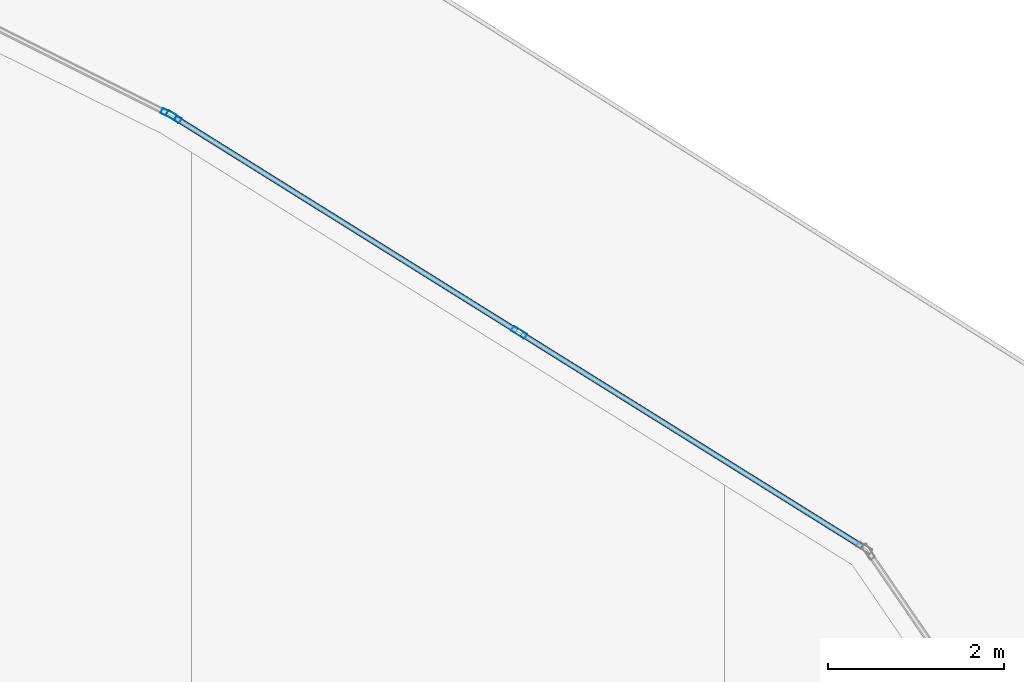
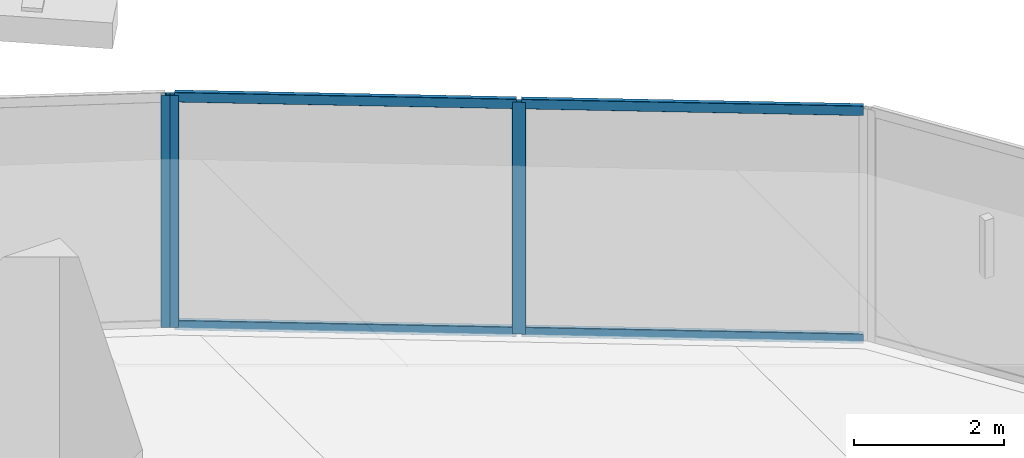
# One storey, part 26 of 45: 7 members, 2 elements without a shape of their own.
"""IFC4 building model written with IfcOpenShell, lengths in metres."""

from ifc_helpers import new_model, si_unit, direction, frame, origin, origin_2d, place, context, subcontext, project, spatial, hollow_rectangle, extrude, material, layer, layer_set, material_profile, profile_set, type_object, element, aggregate, save


model = new_model("IFC4")

# Units and contexts
model_context = context("Model", 3, precision=1e-05, world=origin(), true_north=direction((0.0, 1.0)))
body_context = subcontext(model_context, "Body", "Model", "MODEL_VIEW")
ifc_project = project(units=[si_unit("LENGTHUNIT", "METRE"), si_unit("AREAUNIT", "SQUARE_METRE"), si_unit("VOLUMEUNIT", "CUBIC_METRE"), si_unit("PLANEANGLEUNIT", "RADIAN"), si_unit("MASSUNIT", "GRAM", prefix="KILO")], contexts=[model_context])

# Site, building, storey
site_placement = place(None, origin())
site = spatial("IfcSite", under=ifc_project, at=site_placement, CompositionType="ELEMENT")
building_placement = place(site_placement, origin())
building = spatial("IfcBuilding", under=site, at=building_placement, Name="Qorvath Tower", CompositionType="ELEMENT")
storey_placement = place(building_placement, frame((0.0, 0.0, 109.800048828125)))
storey = spatial("IfcBuildingStorey", under=building, at=storey_placement, Name="L24", CompositionType="ELEMENT", Elevation=109.800048828125)

# Curtain wall, members
ifc_material_1 = material(Name="Anodised aluminium and triple low-E glass", Category="aluminium")
ifc_layer = layer(ifc_material_1, 0.179931640625)
ifc_layer_set = layer_set([ifc_layer], Name="CW-SYS-2")
curtain_wall_type = type_object("IfcCurtainWallType", Name="CW-SYS-2", PredefinedType="NOTDEFINED", material=ifc_layer_set)
curtain_wall_1_placement = place(storey_placement, origin())
curtain_wall_1 = element("IfcCurtainWall", 1, at=curtain_wall_1_placement, inside=storey, type_object=curtain_wall_type, Name="Curtain Wall CW-2 CW-T-L24-14.1", PredefinedType="NOTDEFINED")
ifc_material_2 = material(Name="Anodised aluminium 6063-T6", Category="aluminium")
ifc_material_profile_1 = material_profile(ifc_material_2, hollow_rectangle(XDim=0.06494140625, YDim=0.179931640625, WallThickness=0.00341796875, InnerFilletRadius=0.00341796875, OuterFilletRadius=0.007080078125, at=origin_2d()), Name="CWM 180x65")
ifc_profile_set_1 = profile_set([ifc_material_profile_1], Name="Anodised aluminium 6063-T6")
member_type_1 = type_object("IfcMemberType", Name="CWM-180", PredefinedType="MULLION", material=ifc_profile_set_1)
member_1_placement = place(storey_placement, frame((-7.25390625, 26.397216796875, 0.0), z_axis=(0.0, 0.0, 1.0), x_axis=(-0.529548597524, -0.848279601818, 0.0)))
member_1 = element("IfcMember", 2, at=member_1_placement, type_object=member_type_1, Name="CW-2 mullion 2", PredefinedType="MULLION", context=body_context, shape_type="SweptSolid", body=[
    extrude(hollow_rectangle(XDim=0.06494140625, YDim=0.179931640625, WallThickness=0.00341796875, InnerFilletRadius=0.00341796875, OuterFilletRadius=0.007080078125, at=origin_2d()), origin(), (0.0, 0.0, 1.0), 3.77001953125),
])
member_2_placement = place(storey_placement, frame((-11.172119140625, 28.84326171875, 0.0), z_axis=(0.0, 0.0, 1.0), x_axis=(-0.529548597524, -0.848279601818, 0.0)))
member_2 = element("IfcMember", 3, at=member_2_placement, type_object=member_type_1, Name="CW-2 mullion 3", PredefinedType="MULLION", context=body_context, shape_type="SweptSolid", body=[
    extrude(hollow_rectangle(XDim=0.06494140625, YDim=0.179931640625, WallThickness=0.00341796875, InnerFilletRadius=0.00341796875, OuterFilletRadius=0.007080078125, at=origin_2d()), origin(), (0.0, 0.0, 1.0), 3.77001953125),
])

# Curtain wall, member
curtain_wall_2_placement = place(storey_placement, origin())
curtain_wall_2 = element("IfcCurtainWall", 4, at=curtain_wall_2_placement, inside=storey, type_object=curtain_wall_type, Name="Curtain Wall CW-2 CW-T-L24-15.1", PredefinedType="NOTDEFINED")
member_3_placement = place(storey_placement, frame((-11.228759765625, 28.875, 0.0), z_axis=(0.0, 0.0, 1.0), x_axis=(-0.447181364469, -0.89444330579, 0.0)))
member_3 = element("IfcMember", 5, at=member_3_placement, type_object=member_type_1, Name="CW-2 mullion 1", PredefinedType="MULLION", context=body_context, shape_type="SweptSolid", body=[
    extrude(hollow_rectangle(XDim=0.06494140625, YDim=0.179931640625, WallThickness=0.00341796875, InnerFilletRadius=0.00341796875, OuterFilletRadius=0.007080078125, at=origin_2d()), origin(), (0.0, 0.0, 1.0), 3.77001953125),
])
aggregate(curtain_wall_2, [member_3])

# Member
ifc_material_3 = material(Name="Anodised aluminium 6063-T6", Category="aluminium")
ifc_material_profile_2 = material_profile(ifc_material_3, hollow_rectangle(XDim=0.06494140625, YDim=0.159912109375, WallThickness=0.00341796875, InnerFilletRadius=0.00341796875, OuterFilletRadius=0.007080078125, at=origin_2d()), Name="CWT 160x65")
ifc_profile_set_2 = profile_set([ifc_material_profile_2], Name="Anodised aluminium 6063-T6")
member_type_2 = type_object("IfcMemberType", Name="CWT-160", PredefinedType="USERDEFINED", material=ifc_profile_set_2)
member_4_placement = place(storey_placement, frame((-3.363525390625, 23.968505859375, 0.032470703125), z_axis=(-0.848257229493, 0.529584433885, 0.0), x_axis=(-0.529584433885, -0.848257229493, 0.0)))
member_4 = element("IfcMember", 6, at=member_4_placement, type_object=member_type_2, Name="CW-2 transom 1.1", ObjectType="TRANSOM", PredefinedType="USERDEFINED", context=body_context, shape_type="SweptSolid", body=[
    extrude(hollow_rectangle(XDim=0.06494140625, YDim=0.159912109375, WallThickness=0.00341796875, InnerFilletRadius=0.00341796875, OuterFilletRadius=0.007080078125, at=origin_2d()), origin(), (0.0, 0.0, 1.0), 4.5537109375),
])

member_5_placement = place(storey_placement, frame((-3.363525390625, 23.968505859375, 3.737548828125), z_axis=(-0.848257229493, 0.529584433885, 0.0), x_axis=(-0.529584433885, -0.848257229493, 0.0)))
member_5 = element("IfcMember", 7, at=member_5_placement, type_object=member_type_2, Name="CW-2 transom 1.2", ObjectType="TRANSOM", PredefinedType="USERDEFINED", context=body_context, shape_type="SweptSolid", body=[
    extrude(hollow_rectangle(XDim=0.06494140625, YDim=0.159912109375, WallThickness=0.00341796875, InnerFilletRadius=0.00341796875, OuterFilletRadius=0.007080078125, at=origin_2d()), origin(), (0.0, 0.0, 1.0), 4.5537109375),
])

member_6_placement = place(storey_placement, frame((-7.281494140625, 26.41455078125, 0.032470703125), z_axis=(-0.848296346678, 0.529521773124, 0.0), x_axis=(-0.529521773124, -0.848296346678, 0.0)))
member_6 = element("IfcMember", 8, at=member_6_placement, type_object=member_type_2, Name="CW-2 transom 2.1", ObjectType="TRANSOM", PredefinedType="USERDEFINED", context=body_context, shape_type="SweptSolid", body=[
    extrude(hollow_rectangle(XDim=0.06494140625, YDim=0.159912109375, WallThickness=0.00341796875, InnerFilletRadius=0.00341796875, OuterFilletRadius=0.007080078125, at=origin_2d()), origin(), (0.0, 0.0, 1.0), 4.553955078125),
])

member_7_placement = place(storey_placement, frame((-7.281494140625, 26.41455078125, 3.737548828125), z_axis=(-0.848296346678, 0.529521773124, 0.0), x_axis=(-0.529521773124, -0.848296346678, 0.0)))
member_7 = element("IfcMember", 9, at=member_7_placement, type_object=member_type_2, Name="CW-2 transom 2.2", ObjectType="TRANSOM", PredefinedType="USERDEFINED", context=body_context, shape_type="SweptSolid", body=[
    extrude(hollow_rectangle(XDim=0.06494140625, YDim=0.159912109375, WallThickness=0.00341796875, InnerFilletRadius=0.00341796875, OuterFilletRadius=0.007080078125, at=origin_2d()), origin(), (0.0, 0.0, 1.0), 4.553955078125),
])

aggregate(curtain_wall_1, [member_1, member_2, member_4, member_5, member_6, member_7])

save(model, "model.ifc")
